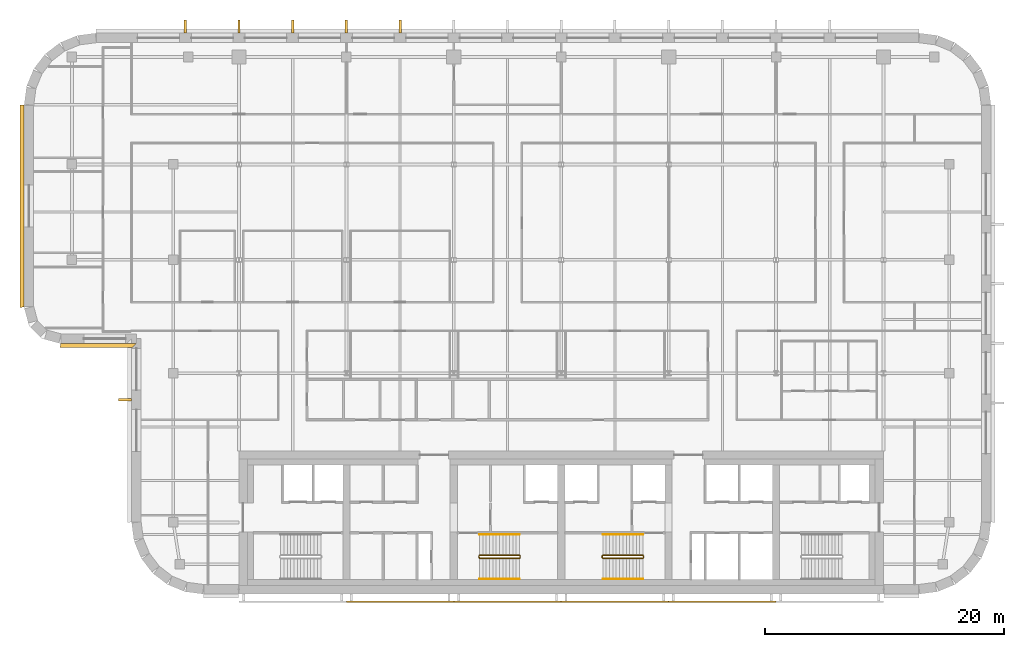
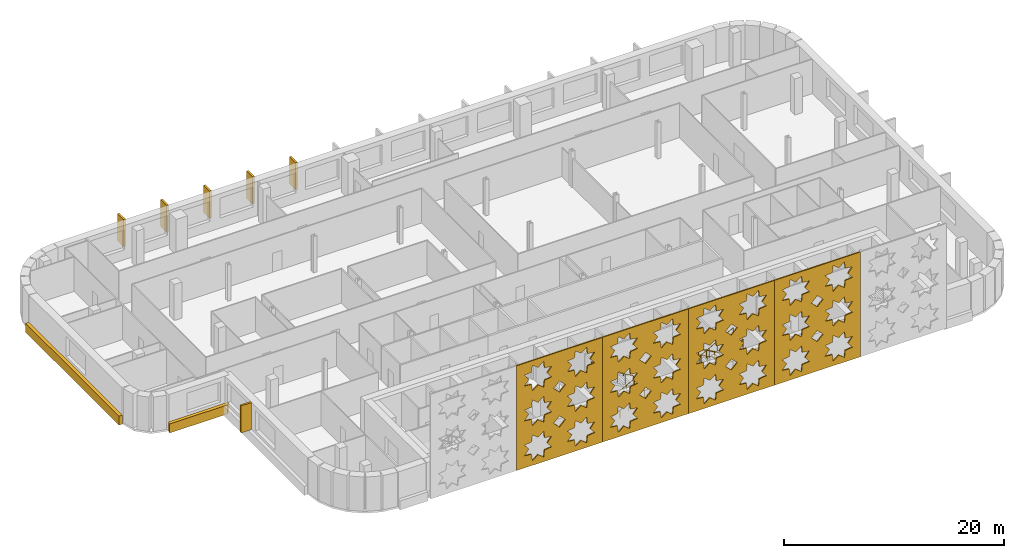
# One storey, part 15 of 18: 12 coverings, 6 railings.
"""IFC4 building model written with IfcOpenShell, lengths in metres."""

from ifc_helpers import new_model, si_unit, direction, frame, origin, origin_2d, place, context, subcontext, project, spatial, polyline, circle, outline, extrude, material, layer, layer_set, type_object, element, save


model = new_model("IFC4")

# Units and contexts
model_context = context("Model", 3, precision=1e-05, world=origin(), true_north=direction((0.0, 1.0)))
body_context = subcontext(model_context, "Body", "Model", "MODEL_VIEW")
ifc_project = project(units=[si_unit("LENGTHUNIT", "METRE"), si_unit("AREAUNIT", "SQUARE_METRE"), si_unit("VOLUMEUNIT", "CUBIC_METRE"), si_unit("PLANEANGLEUNIT", "RADIAN"), si_unit("MASSUNIT", "GRAM", prefix="KILO")], contexts=[model_context])

# Site, building, storey
site_placement = place(None, origin())
site = spatial("IfcSite", under=ifc_project, at=site_placement, CompositionType="ELEMENT")
building_placement = place(site_placement, origin())
building = spatial("IfcBuilding", under=site, at=building_placement, Name="Zellij Exchange Tower", CompositionType="ELEMENT")
storey_placement = place(building_placement, frame((0.0, 0.0, 228.5)))
storey = spatial("IfcBuildingStorey", under=building, at=storey_placement, Name="L53", CompositionType="ELEMENT", Elevation=228.5)

# Railings
ifc_material_1 = material(Name="Stainless steel", Category="steel")
railing_type_1 = type_object("IfcRailingType", Name="CORE-RG stair guard", PredefinedType="GUARDRAIL", material=ifc_material_1)
railing_1_placement = place(storey_placement, frame((-6.89990234375, -10.949951171875, 0.0)))
element("IfcRailing", 1, at=railing_1_placement, inside=storey, type_object=railing_type_1, Name="ST2 stair guard L53", PredefinedType="GUARDRAIL", context=body_context, shape_type="SweptSolid", body=[
    extrude(circle(Radius=0.02392578125, at=origin_2d()), frame((0.0, 0.0, 1.076171875), z_axis=(0.0, 1.0, 0.0), x_axis=(-1.0, 0.0, 0.0)), (0.0, 0.0, 1.0), 0.14990234375),
    extrude(circle(Radius=0.02392578125, at=origin_2d()), frame((0.0, 0.14990234375, 1.076171875), z_axis=(0.193691321961, -0.777613689637, 0.598164376644), x_axis=(0.970351222016, 0.241699205484, 0.0)), (0.0, 0.0, 1.0), 0.257080078125),
    extrude(circle(Radius=0.02392578125, at=origin_2d()), frame((0.0498046875, -0.050048828125, 1.22998046875), z_axis=(0.876421534553, 0.0, 0.481544695509), x_axis=(0.0, 1.0, 0.0)), (0.0, 0.0, 1.0), 3.833984375),
    extrude(circle(Radius=0.02392578125, at=origin_2d()), frame((3.409912109375, -0.050048828125, 3.076171875), z_axis=(0.707106781187, 0.707106781187, 0.0), x_axis=(-0.707106781187, 0.707106781187, 0.0)), (0.0, 0.0, 1.0), 0.07080078125),
    extrude(circle(Radius=0.02392578125, at=origin_2d()), frame((3.4599609375, 0.0, 3.076171875), z_axis=(0.0, 1.0, 0.0), x_axis=(-1.0, 0.0, 0.0)), (0.0, 0.0, 1.0), 0.14990234375),
    extrude(circle(Radius=0.02392578125, at=origin_2d()), frame((3.4599609375, 0.14990234375, 3.076171875), z_axis=(-0.295599637079, 0.295599637079, 0.908428152975), x_axis=(-0.707106781187, -0.707106781187, 0.0)), (0.0, 0.0, 1.0), 0.16943359375),
    extrude(circle(Radius=0.02392578125, at=origin_2d()), frame((3.409912109375, 0.199951171875, 3.22998046875), z_axis=(-0.876421534553, 0.0, 0.481544695509), x_axis=(0.0, -1.0, 0.0)), (0.0, 0.0, 1.0), 3.833984375),
    extrude(circle(Radius=0.02099609375, at=origin_2d()), origin(), (0.0, 0.0, 1.0), 1.052001953125),
    extrude(circle(Radius=0.02099609375, at=origin_2d()), frame((0.0, 0.14990234375, 0.0)), (0.0, 0.0, 1.0), 1.052001953125),
    extrude(circle(Radius=0.02099609375, at=origin_2d()), frame((0.0498046875, -0.050048828125, 0.15380859375)), (0.0, 0.0, 1.0), 1.052001953125),
    extrude(circle(Radius=0.02099609375, at=origin_2d()), frame((0.889892578125, -0.050048828125, 0.615234375)), (0.0, 0.0, 1.0), 1.052001953125),
    extrude(circle(Radius=0.02099609375, at=origin_2d()), frame((1.72998046875, -0.050048828125, 1.076904296875)), (0.0, 0.0, 1.0), 1.052001953125),
    extrude(circle(Radius=0.02099609375, at=origin_2d()), frame((2.56982421875, -0.050048828125, 1.53857421875)), (0.0, 0.0, 1.0), 1.052001953125),
    extrude(circle(Radius=0.02099609375, at=origin_2d()), frame((3.409912109375, -0.050048828125, 2.0)), (0.0, 0.0, 1.0), 1.052001953125),
    extrude(circle(Radius=0.02099609375, at=origin_2d()), frame((3.4599609375, 0.0, 2.0)), (0.0, 0.0, 1.0), 1.052001953125),
    extrude(circle(Radius=0.02099609375, at=origin_2d()), frame((3.4599609375, 0.14990234375, 2.0)), (0.0, 0.0, 1.0), 1.052001953125),
    extrude(circle(Radius=0.02099609375, at=origin_2d()), frame((3.409912109375, 0.199951171875, 2.15380859375)), (0.0, 0.0, 1.0), 1.052001953125),
    extrude(circle(Radius=0.02099609375, at=origin_2d()), frame((2.56982421875, 0.199951171875, 2.615234375)), (0.0, 0.0, 1.0), 1.052001953125),
    extrude(circle(Radius=0.02099609375, at=origin_2d()), frame((1.72998046875, 0.199951171875, 3.076904296875)), (0.0, 0.0, 1.0), 1.052001953125),
    extrude(circle(Radius=0.02099609375, at=origin_2d()), frame((0.889892578125, 0.199951171875, 3.53857421875)), (0.0, 0.0, 1.0), 1.052001953125),
    extrude(circle(Radius=0.02099609375, at=origin_2d()), frame((0.0498046875, 0.199951171875, 4.0)), (0.0, 0.0, 1.0), 1.052001953125),
])
railing_2_placement = place(storey_placement, frame((6.89990234375, -10.800048828125, 0.0)))
element("IfcRailing", 2, at=railing_2_placement, inside=storey, type_object=railing_type_1, Name="ST3 stair guard L53", PredefinedType="GUARDRAIL", context=body_context, shape_type="SweptSolid", body=[
    extrude(circle(Radius=0.02392578125, at=origin_2d()), frame((0.0, 0.0, 1.076171875), z_axis=(0.0, -1.0, 0.0), x_axis=(1.0, 0.0, 0.0)), (0.0, 0.0, 1.0), 0.14990234375),
    extrude(circle(Radius=0.02392578125, at=origin_2d()), frame((0.0, -0.14990234375, 1.076171875), z_axis=(-0.193691321961, 0.777613689637, 0.598164376644), x_axis=(-0.970351222016, -0.241699205484, 0.0)), (0.0, 0.0, 1.0), 0.257080078125),
    extrude(circle(Radius=0.02392578125, at=origin_2d()), frame((-0.0498046875, 0.050048828125, 1.22998046875), z_axis=(-0.876421534553, 0.0, 0.481544695509), x_axis=(0.0, -1.0, 0.0)), (0.0, 0.0, 1.0), 3.833984375),
    extrude(circle(Radius=0.02392578125, at=origin_2d()), frame((-3.409912109375, 0.050048828125, 3.076171875), z_axis=(-0.707106781187, -0.707106781187, 0.0), x_axis=(0.707106781187, -0.707106781187, 0.0)), (0.0, 0.0, 1.0), 0.07080078125),
    extrude(circle(Radius=0.02392578125, at=origin_2d()), frame((-3.4599609375, 0.0, 3.076171875), z_axis=(0.0, -1.0, 0.0), x_axis=(1.0, 0.0, 0.0)), (0.0, 0.0, 1.0), 0.14990234375),
    extrude(circle(Radius=0.02392578125, at=origin_2d()), frame((-3.4599609375, -0.14990234375, 3.076171875), z_axis=(0.295599637079, -0.295599637079, 0.908428152975), x_axis=(0.707106781187, 0.707106781187, 0.0)), (0.0, 0.0, 1.0), 0.16943359375),
    extrude(circle(Radius=0.02392578125, at=origin_2d()), frame((-3.409912109375, -0.199951171875, 3.22998046875), z_axis=(0.876421534553, 0.0, 0.481544695509), x_axis=(0.0, 1.0, 0.0)), (0.0, 0.0, 1.0), 3.833984375),
    extrude(circle(Radius=0.02099609375, at=origin_2d()), origin(), (0.0, 0.0, 1.0), 1.052001953125),
    extrude(circle(Radius=0.02099609375, at=origin_2d()), frame((0.0, -0.14990234375, 0.0)), (0.0, 0.0, 1.0), 1.052001953125),
    extrude(circle(Radius=0.02099609375, at=origin_2d()), frame((-0.0498046875, 0.050048828125, 0.15380859375)), (0.0, 0.0, 1.0), 1.052001953125),
    extrude(circle(Radius=0.02099609375, at=origin_2d()), frame((-0.889892578125, 0.050048828125, 0.615234375)), (0.0, 0.0, 1.0), 1.052001953125),
    extrude(circle(Radius=0.02099609375, at=origin_2d()), frame((-1.72998046875, 0.050048828125, 1.076904296875)), (0.0, 0.0, 1.0), 1.052001953125),
    extrude(circle(Radius=0.02099609375, at=origin_2d()), frame((-2.56982421875, 0.050048828125, 1.53857421875)), (0.0, 0.0, 1.0), 1.052001953125),
    extrude(circle(Radius=0.02099609375, at=origin_2d()), frame((-3.409912109375, 0.050048828125, 2.0)), (0.0, 0.0, 1.0), 1.052001953125),
    extrude(circle(Radius=0.02099609375, at=origin_2d()), frame((-3.4599609375, 0.0, 2.0)), (0.0, 0.0, 1.0), 1.052001953125),
    extrude(circle(Radius=0.02099609375, at=origin_2d()), frame((-3.4599609375, -0.14990234375, 2.0)), (0.0, 0.0, 1.0), 1.052001953125),
    extrude(circle(Radius=0.02099609375, at=origin_2d()), frame((-3.409912109375, -0.199951171875, 2.15380859375)), (0.0, 0.0, 1.0), 1.052001953125),
    extrude(circle(Radius=0.02099609375, at=origin_2d()), frame((-2.56982421875, -0.199951171875, 2.615234375)), (0.0, 0.0, 1.0), 1.052001953125),
    extrude(circle(Radius=0.02099609375, at=origin_2d()), frame((-1.72998046875, -0.199951171875, 3.076904296875)), (0.0, 0.0, 1.0), 1.052001953125),
    extrude(circle(Radius=0.02099609375, at=origin_2d()), frame((-0.889892578125, -0.199951171875, 3.53857421875)), (0.0, 0.0, 1.0), 1.052001953125),
    extrude(circle(Radius=0.02099609375, at=origin_2d()), frame((-0.0498046875, -0.199951171875, 4.0)), (0.0, 0.0, 1.0), 1.052001953125),
])
railing_type_2 = type_object("IfcRailingType", Name="CORE-RH stair handrail", PredefinedType="HANDRAIL", material=ifc_material_1)
railing_3_placement = place(storey_placement, frame((-6.85009765625, -12.75, 0.15380859375)))
element("IfcRailing", 3, at=railing_3_placement, inside=storey, type_object=railing_type_2, Name="ST2 stair handrail L53", PredefinedType="HANDRAIL", context=body_context, shape_type="SweptSolid", body=[
    extrude(circle(Radius=0.02392578125, at=origin_2d()), frame((0.0, 0.0, 0.8759765625), z_axis=(0.876421534553, 0.0, 0.481544695509), x_axis=(0.0, 1.0, 0.0)), (0.0, 0.0, 1.0), 3.833984375),
    extrude(circle(Radius=0.02099609375, at=origin_2d()), origin(), (0.0, 0.0, 1.0), 0.851806640625),
    extrude(circle(Radius=0.02099609375, at=origin_2d()), frame((0.840087890625, 0.0, 0.46142578125)), (0.0, 0.0, 1.0), 0.851806640625),
    extrude(circle(Radius=0.02099609375, at=origin_2d()), frame((1.68017578125, 0.0, 0.923095703125)), (0.0, 0.0, 1.0), 0.851806640625),
    extrude(circle(Radius=0.02099609375, at=origin_2d()), frame((2.52001953125, 0.0, 1.384765625)), (0.0, 0.0, 1.0), 0.851806640625),
    extrude(circle(Radius=0.02099609375, at=origin_2d()), frame((3.360107421875, 0.0, 1.84619140625)), (0.0, 0.0, 1.0), 0.851806640625),
])
for number, where, name in (
    (4, (-3.489990234375, -9.0, 2.15380859375), "ST2 stair handrail L53"),
    (5, (6.85009765625, -9.0, 0.15380859375), "ST3 stair handrail L53"),
):
    element("IfcRailing", number, at=place(storey_placement, frame(where)), inside=storey, type_object=railing_type_2, Name=name, PredefinedType="HANDRAIL", context=body_context, shape_type="SweptSolid", body=[
        extrude(circle(Radius=0.02392578125, at=origin_2d()), frame((0.0, 0.0, 0.8759765625), z_axis=(-0.876421534553, 0.0, 0.481544695509), x_axis=(0.0, -1.0, 0.0)), (0.0, 0.0, 1.0), 3.833984375),
        extrude(circle(Radius=0.02099609375, at=origin_2d()), origin(), (0.0, 0.0, 1.0), 0.851806640625),
        extrude(circle(Radius=0.02099609375, at=origin_2d()), frame((-0.840087890625, 0.0, 0.46142578125)), (0.0, 0.0, 1.0), 0.851806640625),
        extrude(circle(Radius=0.02099609375, at=origin_2d()), frame((-1.68017578125, 0.0, 0.923095703125)), (0.0, 0.0, 1.0), 0.851806640625),
        extrude(circle(Radius=0.02099609375, at=origin_2d()), frame((-2.52001953125, 0.0, 1.384765625)), (0.0, 0.0, 1.0), 0.851806640625),
        extrude(circle(Radius=0.02099609375, at=origin_2d()), frame((-3.360107421875, 0.0, 1.84619140625)), (0.0, 0.0, 1.0), 0.851806640625),
    ])
railing_4_placement = place(storey_placement, frame((3.489990234375, -12.75, 2.15380859375)))
element("IfcRailing", 6, at=railing_4_placement, inside=storey, type_object=railing_type_2, Name="ST3 stair handrail L53", PredefinedType="HANDRAIL", context=body_context, shape_type="SweptSolid", body=[
    extrude(circle(Radius=0.02392578125, at=origin_2d()), frame((0.0, 0.0, 0.8759765625), z_axis=(0.876421534553, 0.0, 0.481544695509), x_axis=(0.0, 1.0, 0.0)), (0.0, 0.0, 1.0), 3.833984375),
    extrude(circle(Radius=0.02099609375, at=origin_2d()), origin(), (0.0, 0.0, 1.0), 0.851806640625),
    extrude(circle(Radius=0.02099609375, at=origin_2d()), frame((0.840087890625, 0.0, 0.46142578125)), (0.0, 0.0, 1.0), 0.851806640625),
    extrude(circle(Radius=0.02099609375, at=origin_2d()), frame((1.68017578125, 0.0, 0.923095703125)), (0.0, 0.0, 1.0), 0.851806640625),
    extrude(circle(Radius=0.02099609375, at=origin_2d()), frame((2.52001953125, 0.0, 1.384765625)), (0.0, 0.0, 1.0), 0.851806640625),
    extrude(circle(Radius=0.02099609375, at=origin_2d()), frame((3.360107421875, 0.0, 1.84619140625)), (0.0, 0.0, 1.0), 0.851806640625),
])

# Coverings
ifc_material_2 = material(Name="Limestone cladding", Category="masonry")
ifc_layer_1 = layer(ifc_material_2, 0.35009765625)
ifc_layer_set_1 = layer_set([ifc_layer_1], Name="Limestone cladding")
covering_type_1 = type_object("IfcCoveringType", Name="ENV-CV10 Stone spandrel band 350", PredefinedType="CLADDING", material=ifc_layer_set_1)
covering_1_placement = place(storey_placement, frame((0.0, 0.0, -0.199951171875)))
element("IfcCovering", 7, at=covering_1_placement, inside=storey, type_object=covering_type_1, Name="Stone spandrel band", PredefinedType="CLADDING", context=body_context, shape_type="SweptSolid", body=[
    extrude(outline(polyline([(-45.0, 26.973876953125), (-45.0, 10.052734375), (-45.35009765625, 10.006591796875), (-45.35009765625, 26.99658203125), (-45.0, 26.973876953125)])), origin(), (0.0, 0.0, 1.0), 1.0),
])
covering_2_placement = place(storey_placement, frame((0.0, 0.0, -0.199951171875)))
element("IfcCovering", 8, at=covering_2_placement, inside=storey, type_object=covering_type_1, Name="Stone spandrel band", PredefinedType="CLADDING", context=body_context, shape_type="SweptSolid", body=[
    extrude(outline(polyline([(-41.947265625, 7.0), (-35.60009765625, 7.0), (-35.949951171875, 6.64990234375), (-41.993408203125, 6.64990234375), (-41.947265625, 7.0)])), origin(), (0.0, 0.0, 1.0), 1.0),
])
covering_type_2 = type_object("IfcCoveringType", Name="ENV-CV6 Stone pier 200x1100", PredefinedType="CLADDING", material=ifc_material_2)
covering_3_placement = place(storey_placement, frame((0.0, 0.0, 0.800048828125)))
element("IfcCovering", 9, at=covering_3_placement, inside=storey, type_object=covering_type_2, Name="Stone pier", PredefinedType="CLADDING", context=body_context, shape_type="SweptSolid", body=[
    extrude(outline(polyline([(-13.39990234375, 33.0), (-13.60009765625, 33.0), (-13.60009765625, 34.10009765625), (-13.39990234375, 34.10009765625), (-13.39990234375, 33.0)])), origin(), (0.0, 0.0, 1.0), 3.0),
])
covering_4_placement = place(storey_placement, frame((0.0, 0.0, 0.800048828125)))
element("IfcCovering", 10, at=covering_4_placement, inside=storey, type_object=covering_type_2, Name="Stone pier", PredefinedType="CLADDING", context=body_context, shape_type="SweptSolid", body=[
    extrude(outline(polyline([(-17.89990234375, 33.0), (-18.10009765625, 33.0), (-18.10009765625, 34.10009765625), (-17.89990234375, 34.10009765625), (-17.89990234375, 33.0)])), origin(), (0.0, 0.0, 1.0), 3.0),
])
covering_5_placement = place(storey_placement, frame((0.0, 0.0, 0.800048828125)))
element("IfcCovering", 11, at=covering_5_placement, inside=storey, type_object=covering_type_2, Name="Stone pier", PredefinedType="CLADDING", context=body_context, shape_type="SweptSolid", body=[
    extrude(outline(polyline([(-22.39990234375, 33.0), (-22.60009765625, 33.0), (-22.60009765625, 34.10009765625), (-22.39990234375, 34.10009765625), (-22.39990234375, 33.0)])), origin(), (0.0, 0.0, 1.0), 3.0),
])
covering_6_placement = place(storey_placement, frame((0.0, 0.0, 0.800048828125)))
element("IfcCovering", 12, at=covering_6_placement, inside=storey, type_object=covering_type_2, Name="Stone pier", PredefinedType="CLADDING", context=body_context, shape_type="SweptSolid", body=[
    extrude(outline(polyline([(-26.89990234375, 33.0), (-27.10009765625, 33.0), (-27.10009765625, 34.10009765625), (-26.89990234375, 34.10009765625), (-26.89990234375, 33.0)])), origin(), (0.0, 0.0, 1.0), 3.0),
])
covering_7_placement = place(storey_placement, frame((0.0, 0.0, 0.800048828125)))
element("IfcCovering", 13, at=covering_7_placement, inside=storey, type_object=covering_type_2, Name="Stone pier", PredefinedType="CLADDING", context=body_context, shape_type="SweptSolid", body=[
    extrude(outline(polyline([(-31.39990234375, 33.0), (-31.60009765625, 33.0), (-31.60009765625, 34.10009765625), (-31.39990234375, 34.10009765625), (-31.39990234375, 33.0)])), origin(), (0.0, 0.0, 1.0), 3.0),
])
covering_8_placement = place(storey_placement, frame((0.0, 0.0, 0.800048828125)))
element("IfcCovering", 14, at=covering_8_placement, inside=storey, type_object=covering_type_2, Name="Stone pier", PredefinedType="CLADDING", context=body_context, shape_type="SweptSolid", body=[
    extrude(outline(polyline([(-36.0, 2.37548828125), (-36.0, 2.17529296875), (-37.10009765625, 2.17529296875), (-37.10009765625, 2.37548828125), (-36.0, 2.37548828125)])), origin(), (0.0, 0.0, 1.0), 3.0),
])
ifc_material_3 = material(Name="Limestone screen", Category="masonry")
ifc_layer_2 = layer(ifc_material_3, 0.1201171875)
ifc_layer_set_2 = layer_set([ifc_layer_2], Name="Limestone screen")
covering_type_3 = type_object("IfcCoveringType", Name="ENV-SC5 Pierced stone relief 120", PredefinedType="USERDEFINED", material=ifc_layer_set_2)
covering_9_placement = place(storey_placement, frame((-18.0, -14.659912109375, 0.199951171875), z_axis=(0.0, 0.0, 1.0), x_axis=(1.0, 0.0, 0.0)))
element("IfcCovering", 15, at=covering_9_placement, inside=storey, type_object=covering_type_3, Name="Pierced stone relief", ObjectType="SCREEN", PredefinedType="USERDEFINED", context=body_context, shape_type="SweptSolid", body=[
    extrude(outline(polyline([(0.0, 0.0), (9.0, 0.0), (9.0, 11.60009765625), (0.0, 11.60009765625), (0.0, 0.0)]), holes=[polyline([(3.678955078125, 2.525146484375), (2.927978515625, 2.611328125), (2.841796875, 3.3623046875), (2.25, 2.892333984375), (1.658203125, 3.3623046875), (1.572021484375, 2.611328125), (0.821044921875, 2.525146484375), (1.291015625, 1.933349609375), (0.821044921875, 1.34130859375), (1.572021484375, 1.25537109375), (1.658203125, 0.50439453125), (2.25, 0.974365234375), (2.841796875, 0.50439453125), (2.927978515625, 1.25537109375), (3.678955078125, 1.34130859375), (3.208984375, 1.933349609375), (3.678955078125, 2.525146484375)]), polyline([(3.678955078125, 6.391845703125), (2.927978515625, 6.47802734375), (2.841796875, 7.22900390625), (2.25, 6.7587890625), (1.658203125, 7.22900390625), (1.572021484375, 6.47802734375), (0.821044921875, 6.391845703125), (1.291015625, 5.800048828125), (0.821044921875, 5.2080078125), (1.572021484375, 5.121826171875), (1.658203125, 4.37109375), (2.25, 4.841064453125), (2.841796875, 4.37109375), (2.927978515625, 5.121826171875), (3.678955078125, 5.2080078125), (3.208984375, 5.800048828125), (3.678955078125, 6.391845703125)]), polyline([(3.678955078125, 10.258544921875), (2.927978515625, 10.3447265625), (2.841796875, 11.095703125), (2.25, 10.62548828125), (1.658203125, 11.095703125), (1.572021484375, 10.3447265625), (0.821044921875, 10.258544921875), (1.291015625, 9.666748046875), (0.821044921875, 9.07470703125), (1.572021484375, 8.988525390625), (1.658203125, 8.23779296875), (2.25, 8.707763671875), (2.841796875, 8.23779296875), (2.927978515625, 8.988525390625), (3.678955078125, 9.07470703125), (3.208984375, 9.666748046875), (3.678955078125, 10.258544921875)]), polyline([(8.178955078125, 2.525146484375), (7.427978515625, 2.611328125), (7.341796875, 3.3623046875), (6.75, 2.892333984375), (6.158203125, 3.3623046875), (6.072021484375, 2.611328125), (5.321044921875, 2.525146484375), (5.791015625, 1.933349609375), (5.321044921875, 1.34130859375), (6.072021484375, 1.25537109375), (6.158203125, 0.50439453125), (6.75, 0.974365234375), (7.341796875, 0.50439453125), (7.427978515625, 1.25537109375), (8.178955078125, 1.34130859375), (7.708984375, 1.933349609375), (8.178955078125, 2.525146484375)]), polyline([(8.178955078125, 6.391845703125), (7.427978515625, 6.47802734375), (7.341796875, 7.22900390625), (6.75, 6.7587890625), (6.158203125, 7.22900390625), (6.072021484375, 6.47802734375), (5.321044921875, 6.391845703125), (5.791015625, 5.800048828125), (5.321044921875, 5.2080078125), (6.072021484375, 5.121826171875), (6.158203125, 4.37109375), (6.75, 4.841064453125), (7.341796875, 4.37109375), (7.427978515625, 5.121826171875), (8.178955078125, 5.2080078125), (7.708984375, 5.800048828125), (8.178955078125, 6.391845703125)]), polyline([(8.178955078125, 10.258544921875), (7.427978515625, 10.3447265625), (7.341796875, 11.095703125), (6.75, 10.62548828125), (6.158203125, 11.095703125), (6.072021484375, 10.3447265625), (5.321044921875, 10.258544921875), (5.791015625, 9.666748046875), (5.321044921875, 9.07470703125), (6.072021484375, 8.988525390625), (6.158203125, 8.23779296875), (6.75, 8.707763671875), (7.341796875, 8.23779296875), (7.427978515625, 8.988525390625), (8.178955078125, 9.07470703125), (7.708984375, 9.666748046875), (8.178955078125, 10.258544921875)]), polyline([(5.11865234375, 3.86669921875), (4.5, 4.4853515625), (3.88134765625, 3.86669921875), (4.5, 3.248046875), (5.11865234375, 3.86669921875)]), polyline([(5.11865234375, 7.7333984375), (4.5, 8.35205078125), (3.88134765625, 7.7333984375), (4.5, 7.11474609375), (5.11865234375, 7.7333984375)])]), frame((0.0, 0.06005859375, 0.0), z_axis=(0.0, -1.0, 0.0), x_axis=(1.0, 0.0, 0.0)), (0.0, 0.0, 1.0), 0.1201171875),
])
covering_10_placement = place(storey_placement, frame((-9.0, -14.659912109375, 0.199951171875), z_axis=(0.0, 0.0, 1.0), x_axis=(1.0, 0.0, 0.0)))
element("IfcCovering", 16, at=covering_10_placement, inside=storey, type_object=covering_type_3, Name="Pierced stone relief", ObjectType="SCREEN", PredefinedType="USERDEFINED", context=body_context, shape_type="SweptSolid", body=[
    extrude(outline(polyline([(0.0, 0.0), (9.0, 0.0), (9.0, 11.60009765625), (0.0, 11.60009765625), (0.0, 0.0)]), holes=[polyline([(3.678955078125, 2.525146484375), (2.927978515625, 2.611328125), (2.841796875, 3.3623046875), (2.25, 2.892333984375), (1.658203125, 3.3623046875), (1.572021484375, 2.611328125), (0.821044921875, 2.525146484375), (1.291015625, 1.933349609375), (0.821044921875, 1.34130859375), (1.572021484375, 1.25537109375), (1.658203125, 0.50439453125), (2.25, 0.974365234375), (2.841796875, 0.50439453125), (2.927978515625, 1.25537109375), (3.678955078125, 1.34130859375), (3.208984375, 1.933349609375), (3.678955078125, 2.525146484375)]), polyline([(3.678955078125, 6.391845703125), (2.927978515625, 6.47802734375), (2.841796875, 7.22900390625), (2.25, 6.7587890625), (1.658203125, 7.22900390625), (1.572021484375, 6.47802734375), (0.821044921875, 6.391845703125), (1.291015625, 5.800048828125), (0.821044921875, 5.2080078125), (1.572021484375, 5.121826171875), (1.658203125, 4.37109375), (2.25, 4.841064453125), (2.841796875, 4.37109375), (2.927978515625, 5.121826171875), (3.678955078125, 5.2080078125), (3.208984375, 5.800048828125), (3.678955078125, 6.391845703125)]), polyline([(3.678955078125, 10.258544921875), (2.927978515625, 10.3447265625), (2.841796875, 11.095703125), (2.25, 10.62548828125), (1.658203125, 11.095703125), (1.572021484375, 10.3447265625), (0.821044921875, 10.258544921875), (1.291015625, 9.666748046875), (0.821044921875, 9.07470703125), (1.572021484375, 8.988525390625), (1.658203125, 8.23779296875), (2.25, 8.707763671875), (2.841796875, 8.23779296875), (2.927978515625, 8.988525390625), (3.678955078125, 9.07470703125), (3.208984375, 9.666748046875), (3.678955078125, 10.258544921875)]), polyline([(8.178955078125, 2.525146484375), (7.427978515625, 2.611328125), (7.341796875, 3.3623046875), (6.75, 2.892333984375), (6.158203125, 3.3623046875), (6.072021484375, 2.611328125), (5.321044921875, 2.525146484375), (5.791015625, 1.933349609375), (5.321044921875, 1.34130859375), (6.072021484375, 1.25537109375), (6.158203125, 0.50439453125), (6.75, 0.974365234375), (7.341796875, 0.50439453125), (7.427978515625, 1.25537109375), (8.178955078125, 1.34130859375), (7.708984375, 1.933349609375), (8.178955078125, 2.525146484375)]), polyline([(8.178955078125, 6.391845703125), (7.427978515625, 6.47802734375), (7.341796875, 7.22900390625), (6.75, 6.7587890625), (6.158203125, 7.22900390625), (6.072021484375, 6.47802734375), (5.321044921875, 6.391845703125), (5.791015625, 5.800048828125), (5.321044921875, 5.2080078125), (6.072021484375, 5.121826171875), (6.158203125, 4.37109375), (6.75, 4.841064453125), (7.341796875, 4.37109375), (7.427978515625, 5.121826171875), (8.178955078125, 5.2080078125), (7.708984375, 5.800048828125), (8.178955078125, 6.391845703125)]), polyline([(8.178955078125, 10.258544921875), (7.427978515625, 10.3447265625), (7.341796875, 11.095703125), (6.75, 10.62548828125), (6.158203125, 11.095703125), (6.072021484375, 10.3447265625), (5.321044921875, 10.258544921875), (5.791015625, 9.666748046875), (5.321044921875, 9.07470703125), (6.072021484375, 8.988525390625), (6.158203125, 8.23779296875), (6.75, 8.707763671875), (7.341796875, 8.23779296875), (7.427978515625, 8.988525390625), (8.178955078125, 9.07470703125), (7.708984375, 9.666748046875), (8.178955078125, 10.258544921875)]), polyline([(5.11865234375, 3.86669921875), (4.5, 4.4853515625), (3.88134765625, 3.86669921875), (4.5, 3.248046875), (5.11865234375, 3.86669921875)]), polyline([(5.11865234375, 7.7333984375), (4.5, 8.35205078125), (3.88134765625, 7.7333984375), (4.5, 7.11474609375), (5.11865234375, 7.7333984375)])]), frame((0.0, 0.06005859375, 0.0), z_axis=(0.0, -1.0, 0.0), x_axis=(1.0, 0.0, 0.0)), (0.0, 0.0, 1.0), 0.1201171875),
])
covering_11_placement = place(storey_placement, frame((0.0, -14.659912109375, 0.199951171875), z_axis=(0.0, 0.0, 1.0), x_axis=(1.0, 0.0, 0.0)))
element("IfcCovering", 17, at=covering_11_placement, inside=storey, type_object=covering_type_3, Name="Pierced stone relief", ObjectType="SCREEN", PredefinedType="USERDEFINED", context=body_context, shape_type="SweptSolid", body=[
    extrude(outline(polyline([(0.0, 0.0), (9.0, 0.0), (9.0, 11.60009765625), (0.0, 11.60009765625), (0.0, 0.0)]), holes=[polyline([(3.678955078125, 2.525146484375), (2.927978515625, 2.611328125), (2.841796875, 3.3623046875), (2.25, 2.892333984375), (1.658203125, 3.3623046875), (1.572021484375, 2.611328125), (0.821044921875, 2.525146484375), (1.291015625, 1.933349609375), (0.821044921875, 1.34130859375), (1.572021484375, 1.25537109375), (1.658203125, 0.50439453125), (2.25, 0.974365234375), (2.841796875, 0.50439453125), (2.927978515625, 1.25537109375), (3.678955078125, 1.34130859375), (3.208984375, 1.933349609375), (3.678955078125, 2.525146484375)]), polyline([(3.678955078125, 6.391845703125), (2.927978515625, 6.47802734375), (2.841796875, 7.22900390625), (2.25, 6.7587890625), (1.658203125, 7.22900390625), (1.572021484375, 6.47802734375), (0.821044921875, 6.391845703125), (1.291015625, 5.800048828125), (0.821044921875, 5.2080078125), (1.572021484375, 5.121826171875), (1.658203125, 4.37109375), (2.25, 4.841064453125), (2.841796875, 4.37109375), (2.927978515625, 5.121826171875), (3.678955078125, 5.2080078125), (3.208984375, 5.800048828125), (3.678955078125, 6.391845703125)]), polyline([(3.678955078125, 10.258544921875), (2.927978515625, 10.3447265625), (2.841796875, 11.095703125), (2.25, 10.62548828125), (1.658203125, 11.095703125), (1.572021484375, 10.3447265625), (0.821044921875, 10.258544921875), (1.291015625, 9.666748046875), (0.821044921875, 9.07470703125), (1.572021484375, 8.988525390625), (1.658203125, 8.23779296875), (2.25, 8.707763671875), (2.841796875, 8.23779296875), (2.927978515625, 8.988525390625), (3.678955078125, 9.07470703125), (3.208984375, 9.666748046875), (3.678955078125, 10.258544921875)]), polyline([(8.178955078125, 2.525146484375), (7.427978515625, 2.611328125), (7.341796875, 3.3623046875), (6.75, 2.892333984375), (6.158203125, 3.3623046875), (6.072021484375, 2.611328125), (5.321044921875, 2.525146484375), (5.791015625, 1.933349609375), (5.321044921875, 1.34130859375), (6.072021484375, 1.25537109375), (6.158203125, 0.50439453125), (6.75, 0.974365234375), (7.341796875, 0.50439453125), (7.427978515625, 1.25537109375), (8.178955078125, 1.34130859375), (7.708984375, 1.933349609375), (8.178955078125, 2.525146484375)]), polyline([(8.178955078125, 6.391845703125), (7.427978515625, 6.47802734375), (7.341796875, 7.22900390625), (6.75, 6.7587890625), (6.158203125, 7.22900390625), (6.072021484375, 6.47802734375), (5.321044921875, 6.391845703125), (5.791015625, 5.800048828125), (5.321044921875, 5.2080078125), (6.072021484375, 5.121826171875), (6.158203125, 4.37109375), (6.75, 4.841064453125), (7.341796875, 4.37109375), (7.427978515625, 5.121826171875), (8.178955078125, 5.2080078125), (7.708984375, 5.800048828125), (8.178955078125, 6.391845703125)]), polyline([(8.178955078125, 10.258544921875), (7.427978515625, 10.3447265625), (7.341796875, 11.095703125), (6.75, 10.62548828125), (6.158203125, 11.095703125), (6.072021484375, 10.3447265625), (5.321044921875, 10.258544921875), (5.791015625, 9.666748046875), (5.321044921875, 9.07470703125), (6.072021484375, 8.988525390625), (6.158203125, 8.23779296875), (6.75, 8.707763671875), (7.341796875, 8.23779296875), (7.427978515625, 8.988525390625), (8.178955078125, 9.07470703125), (7.708984375, 9.666748046875), (8.178955078125, 10.258544921875)]), polyline([(5.11865234375, 3.86669921875), (4.5, 4.4853515625), (3.88134765625, 3.86669921875), (4.5, 3.248046875), (5.11865234375, 3.86669921875)]), polyline([(5.11865234375, 7.7333984375), (4.5, 8.35205078125), (3.88134765625, 7.7333984375), (4.5, 7.11474609375), (5.11865234375, 7.7333984375)])]), frame((0.0, 0.06005859375, 0.0), z_axis=(0.0, -1.0, 0.0), x_axis=(1.0, 0.0, 0.0)), (0.0, 0.0, 1.0), 0.1201171875),
])
covering_12_placement = place(storey_placement, frame((9.0, -14.659912109375, 0.199951171875), z_axis=(0.0, 0.0, 1.0), x_axis=(1.0, 0.0, 0.0)))
element("IfcCovering", 18, at=covering_12_placement, inside=storey, type_object=covering_type_3, Name="Pierced stone relief", ObjectType="SCREEN", PredefinedType="USERDEFINED", context=body_context, shape_type="SweptSolid", body=[
    extrude(outline(polyline([(0.0, 0.0), (9.0, 0.0), (9.0, 11.60009765625), (0.0, 11.60009765625), (0.0, 0.0)]), holes=[polyline([(3.678955078125, 2.525146484375), (2.927978515625, 2.611328125), (2.841796875, 3.3623046875), (2.25, 2.892333984375), (1.658203125, 3.3623046875), (1.572021484375, 2.611328125), (0.821044921875, 2.525146484375), (1.291015625, 1.933349609375), (0.821044921875, 1.34130859375), (1.572021484375, 1.25537109375), (1.658203125, 0.50439453125), (2.25, 0.974365234375), (2.841796875, 0.50439453125), (2.927978515625, 1.25537109375), (3.678955078125, 1.34130859375), (3.208984375, 1.933349609375), (3.678955078125, 2.525146484375)]), polyline([(3.678955078125, 6.391845703125), (2.927978515625, 6.47802734375), (2.841796875, 7.22900390625), (2.25, 6.7587890625), (1.658203125, 7.22900390625), (1.572021484375, 6.47802734375), (0.821044921875, 6.391845703125), (1.291015625, 5.800048828125), (0.821044921875, 5.2080078125), (1.572021484375, 5.121826171875), (1.658203125, 4.37109375), (2.25, 4.841064453125), (2.841796875, 4.37109375), (2.927978515625, 5.121826171875), (3.678955078125, 5.2080078125), (3.208984375, 5.800048828125), (3.678955078125, 6.391845703125)]), polyline([(3.678955078125, 10.258544921875), (2.927978515625, 10.3447265625), (2.841796875, 11.095703125), (2.25, 10.62548828125), (1.658203125, 11.095703125), (1.572021484375, 10.3447265625), (0.821044921875, 10.258544921875), (1.291015625, 9.666748046875), (0.821044921875, 9.07470703125), (1.572021484375, 8.988525390625), (1.658203125, 8.23779296875), (2.25, 8.707763671875), (2.841796875, 8.23779296875), (2.927978515625, 8.988525390625), (3.678955078125, 9.07470703125), (3.208984375, 9.666748046875), (3.678955078125, 10.258544921875)]), polyline([(8.178955078125, 2.525146484375), (7.427978515625, 2.611328125), (7.341796875, 3.3623046875), (6.75, 2.892333984375), (6.158203125, 3.3623046875), (6.072021484375, 2.611328125), (5.321044921875, 2.525146484375), (5.791015625, 1.933349609375), (5.321044921875, 1.34130859375), (6.072021484375, 1.25537109375), (6.158203125, 0.50439453125), (6.75, 0.974365234375), (7.341796875, 0.50439453125), (7.427978515625, 1.25537109375), (8.178955078125, 1.34130859375), (7.708984375, 1.933349609375), (8.178955078125, 2.525146484375)]), polyline([(8.178955078125, 6.391845703125), (7.427978515625, 6.47802734375), (7.341796875, 7.22900390625), (6.75, 6.7587890625), (6.158203125, 7.22900390625), (6.072021484375, 6.47802734375), (5.321044921875, 6.391845703125), (5.791015625, 5.800048828125), (5.321044921875, 5.2080078125), (6.072021484375, 5.121826171875), (6.158203125, 4.37109375), (6.75, 4.841064453125), (7.341796875, 4.37109375), (7.427978515625, 5.121826171875), (8.178955078125, 5.2080078125), (7.708984375, 5.800048828125), (8.178955078125, 6.391845703125)]), polyline([(8.178955078125, 10.258544921875), (7.427978515625, 10.3447265625), (7.341796875, 11.095703125), (6.75, 10.62548828125), (6.158203125, 11.095703125), (6.072021484375, 10.3447265625), (5.321044921875, 10.258544921875), (5.791015625, 9.666748046875), (5.321044921875, 9.07470703125), (6.072021484375, 8.988525390625), (6.158203125, 8.23779296875), (6.75, 8.707763671875), (7.341796875, 8.23779296875), (7.427978515625, 8.988525390625), (8.178955078125, 9.07470703125), (7.708984375, 9.666748046875), (8.178955078125, 10.258544921875)]), polyline([(5.11865234375, 3.86669921875), (4.5, 4.4853515625), (3.88134765625, 3.86669921875), (4.5, 3.248046875), (5.11865234375, 3.86669921875)]), polyline([(5.11865234375, 7.7333984375), (4.5, 8.35205078125), (3.88134765625, 7.7333984375), (4.5, 7.11474609375), (5.11865234375, 7.7333984375)])]), frame((0.0, 0.06005859375, 0.0), z_axis=(0.0, -1.0, 0.0), x_axis=(1.0, 0.0, 0.0)), (0.0, 0.0, 1.0), 0.1201171875),
])

save(model, "model.ifc")
